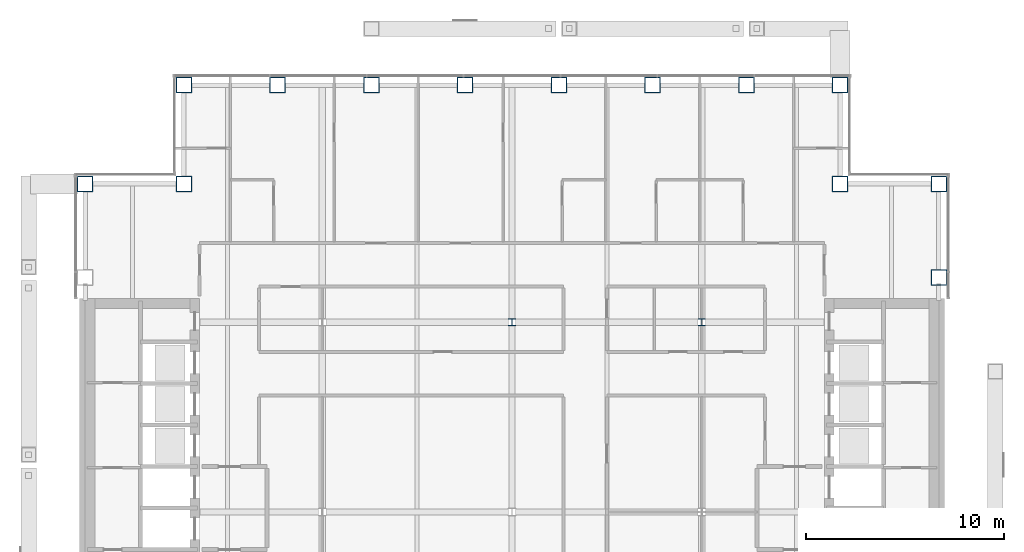
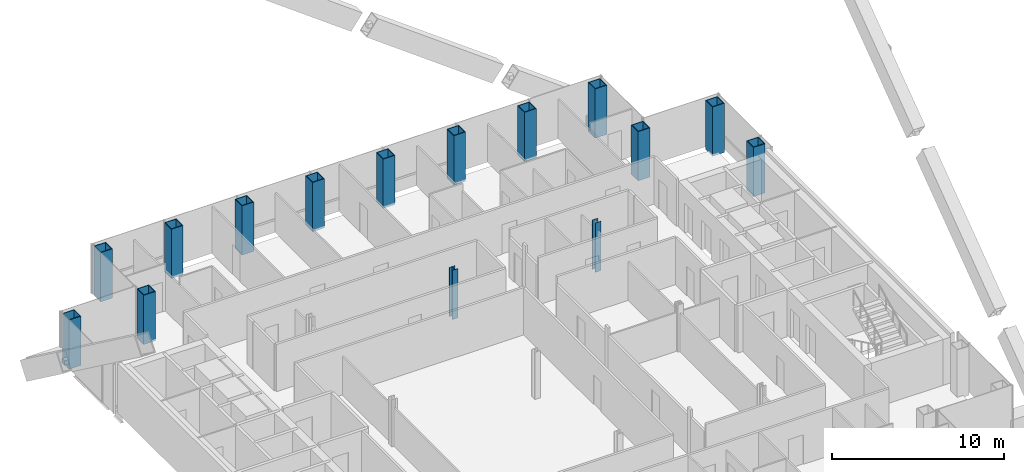
# One storey, part 2 of 18: 15 columns.
"""IFC4 building model written with IfcOpenShell, lengths in metres."""

from ifc_helpers import new_model, si_unit, direction, frame, origin, origin_2d, place, context, subcontext, project, spatial, hollow_rectangle, i_section, extrude, material, material_profile, profile_set, type_object, element, save


model = new_model("IFC4")

# Units and contexts
model_context = context("Model", 3, precision=1e-05, world=origin(), true_north=direction((0.0, 1.0)))
body_context = subcontext(model_context, "Body", "Model", "MODEL_VIEW")
ifc_project = project(units=[si_unit("LENGTHUNIT", "METRE"), si_unit("AREAUNIT", "SQUARE_METRE"), si_unit("VOLUMEUNIT", "CUBIC_METRE"), si_unit("PLANEANGLEUNIT", "RADIAN"), si_unit("MASSUNIT", "GRAM", prefix="KILO")], contexts=[model_context])

# Site, building, storey
site_placement = place(None, origin())
site = spatial("IfcSite", under=ifc_project, at=site_placement, CompositionType="ELEMENT")
building_placement = place(site_placement, origin())
building = spatial("IfcBuilding", under=site, at=building_placement, Name="Cobrizo Arcos Hotel Tower", CompositionType="ELEMENT")
storey_placement = place(building_placement, frame((0.0, 0.0, 158.5)))
storey = spatial("IfcBuildingStorey", under=building, at=storey_placement, Name="L40", CompositionType="ELEMENT", Elevation=158.5)

# Columns
ifc_material_1 = material(Name="Steel ASTM A572 Grade 50", Category="steel")
ifc_material_profile_1 = material_profile(ifc_material_1, hollow_rectangle(XDim=0.800048828125, YDim=0.800048828125, WallThickness=0.044921875, at=origin_2d()), Name="BOX 800X800X45")
ifc_profile_set_1 = profile_set([ifc_material_profile_1], Name="Steel ASTM A572 Grade 50")
column_type_1 = type_object("IfcColumnType", Name="BOX 800X800X45 column", PredefinedType="COLUMN", material=ifc_profile_set_1)
for number, where, z_axis, x_axis, name in (
    (1, (-16.60009765625, 21.60009765625, -0.14990234375), (0.0, 0.0, 1.0), (1.0, 0.0, 0.0), "Perimeter column C8, L40, no. 00"),
    (2, (-11.85693359375, 21.60009765625, -0.14990234375), (0.0, 0.0, 1.0), (1.0, 0.0, 0.0), "Perimeter column C8, L40, no. 02"),
    (3, (-7.114013671875, 21.60009765625, -0.14990234375), (0.0, 0.0, 1.0), (1.0, 0.0, 0.0), "Perimeter column C8, L40, no. 04"),
    (4, (-2.37109375, 21.60009765625, -0.14990234375), (0.0, 0.0, 1.0), (1.0, 0.0, 0.0), "Perimeter column C8, L40, no. 06"),
    (5, (2.37109375, 21.60009765625, -0.14990234375), (0.0, 0.0, 1.0), (1.0, 0.0, 0.0), "Perimeter column C8, L40, no. 08"),
    (6, (7.114013671875, 21.60009765625, -0.14990234375), (0.0, 0.0, 1.0), (1.0, 0.0, 0.0), "Perimeter column C8, L40, no. 10"),
    (7, (11.85693359375, 21.60009765625, -0.14990234375), (0.0, 0.0, 1.0), (1.0, 0.0, 0.0), "Perimeter column C8, L40, no. 12"),
    (8, (16.60009765625, 21.60009765625, -0.14990234375), (0.0, 0.0, 1.0), (1.0, 0.0, 0.0), "Perimeter column C8, L40, no. 14"),
    (9, (21.60009765625, 11.85693359375, -0.14990234375), (0.0, 0.0, 1.0), (1.0, 0.0, 0.0), "Perimeter column C8, L40, no. 20"),
    (10, (21.60009765625, 16.60009765625, -0.14990234375), (0.0, 0.0, 1.0), (1.0, 0.0, 0.0), "Perimeter column C8, L40, no. 22"),
    (11, (-21.60009765625, 16.60009765625, -0.14990234375), (0.0, 0.0, 1.0), (1.0, 0.0, 0.0), "Perimeter column C8, L40, no. 23"),
    (12, (-16.60009765625, 16.60009765625, -0.14990234375), (0.0, 0.0, 1.0), (1.0, 0.0, 0.0), "Perimeter column C8, L40, no. 25"),
    (13, (16.60009765625, 16.60009765625, -0.14990234375), (0.0, 0.0, 1.0), (1.0, 0.0, 0.0), "Perimeter column C8, L40, no. 27"),
):
    element("IfcColumn", number, at=place(storey_placement, frame(where, z_axis=z_axis, x_axis=x_axis)), inside=storey, type_object=column_type_1, Name=name, PredefinedType="COLUMN", context=body_context, shape_type="SweptSolid", body=[
        extrude(hollow_rectangle(XDim=0.800048828125, YDim=0.800048828125, WallThickness=0.044921875, at=origin_2d()), origin(), (0.0, 0.0, 1.0), 3.5),
    ])
ifc_material_2 = material(Name="Steel ASTM A992 Grade 50", Category="steel")
ifc_material_profile_2 = material_profile(ifc_material_2, i_section(OverallWidth=0.373291015625, OverallDepth=0.373291015625, WebThickness=0.016357421875, FlangeThickness=0.026123046875, at=origin_2d()), Name="W14X132")
ifc_profile_set_2 = profile_set([ifc_material_profile_2], Name="Steel ASTM A992 Grade 50")
column_type_2 = type_object("IfcColumnType", Name="W14X132 interior column", PredefinedType="COLUMN", material=ifc_profile_set_2)
for number, where, z_axis, x_axis, name in (
    (14, (0.0, 9.60009765625, -0.14990234375), (0.0, 0.0, 1.0), (1.0, 0.0, 0.0), "Interior column C9, L40, no. 05"),
    (15, (9.60009765625, 9.60009765625, -0.14990234375), (0.0, 0.0, 1.0), (1.0, 0.0, 0.0), "Interior column C9, L40, no. 08"),
):
    element("IfcColumn", number, at=place(storey_placement, frame(where, z_axis=z_axis, x_axis=x_axis)), inside=storey, type_object=column_type_2, Name=name, PredefinedType="COLUMN", context=body_context, shape_type="SweptSolid", body=[
        extrude(i_section(OverallWidth=0.373291015625, OverallDepth=0.373291015625, WebThickness=0.016357421875, FlangeThickness=0.026123046875, at=origin_2d()), origin(), (0.0, 0.0, 1.0), 3.5),
    ])

save(model, "model.ifc")
